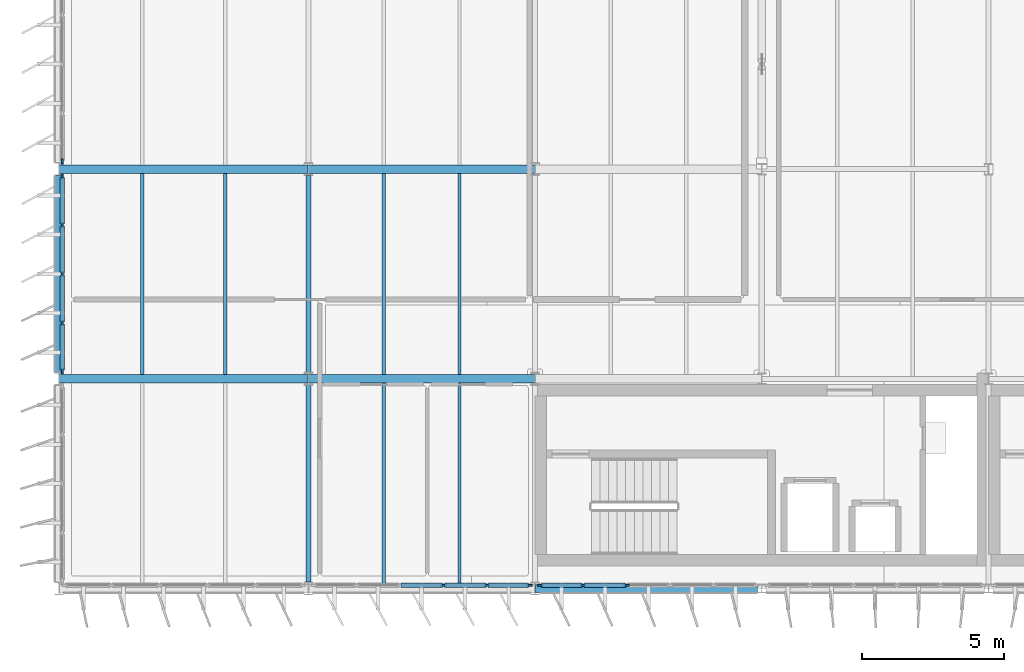
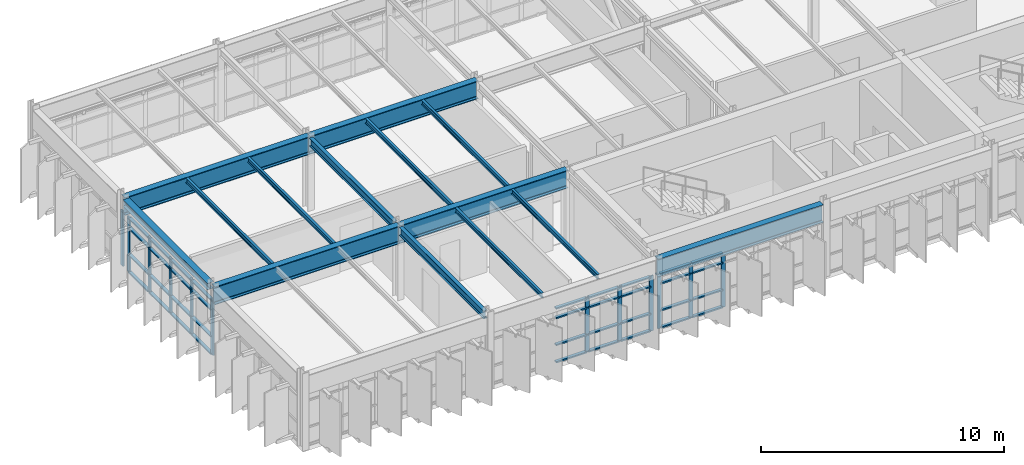
# One storey, part 5 of 35: 48 members, 14 beams, 4 elements without a shape of their own.
"""IFC4 building model written with IfcOpenShell, lengths in metres."""

from ifc_helpers import new_model, si_unit, direction, frame, origin, origin_2d, place, context, subcontext, project, spatial, rectangle, i_section, extrude, material, layer, layer_set, material_profile, profile_set, type_object, element, aggregate, save


model = new_model("IFC4")

# Units and contexts
model_context = context("Model", 3, precision=1e-05, world=origin(), true_north=direction((0.0, 1.0)))
body_context = subcontext(model_context, "Body", "Model", "MODEL_VIEW")
ifc_project = project(units=[si_unit("LENGTHUNIT", "METRE"), si_unit("AREAUNIT", "SQUARE_METRE"), si_unit("VOLUMEUNIT", "CUBIC_METRE"), si_unit("PLANEANGLEUNIT", "RADIAN"), si_unit("MASSUNIT", "GRAM", prefix="KILO")], contexts=[model_context])

# Site, building, storey
site_placement = place(None, origin())
site = spatial("IfcSite", under=ifc_project, at=site_placement, CompositionType="ELEMENT")
building_placement = place(site_placement, origin())
building = spatial("IfcBuilding", under=site, at=building_placement, Name="Valkorina Park Police Headquarters", CompositionType="ELEMENT")
storey_placement = place(building_placement, frame((0.0, 0.0, 27.199951171875)))
storey = spatial("IfcBuildingStorey", under=building, at=storey_placement, Name="L07", CompositionType="ELEMENT", Elevation=27.199951171875)

# Beams
ifc_material_1 = material(Name="Steel S355", Category="steel")
ifc_material_profile_1 = material_profile(ifc_material_1, i_section(OverallWidth=0.300048828125, OverallDepth=0.330078125, WebThickness=0.009521484375, FlangeThickness=0.0166015625, FilletRadius=0.027099609375, at=origin_2d()), Name="HEA 340")
ifc_profile_set_1 = profile_set([ifc_material_profile_1], Name="Steel S355")
beam_type_1 = type_object("IfcBeamType", Name="BM-S355-HEA340-SPN", PredefinedType="SPANDREL", material=ifc_profile_set_1)
beam_1_placement = place(storey_placement, frame((0.0, 44.625, 3.51513671875), z_axis=(0.0, 1.0, 0.0), x_axis=(-1.0, 0.0, 0.0)))
element("IfcBeam", 1, at=beam_1_placement, inside=storey, type_object=beam_type_1, Name="L07 Framing Beam 2756", PredefinedType="SPANDREL", context=body_context, shape_type="SweptSolid", body=[
    extrude(i_section(OverallWidth=0.300048828125, OverallDepth=0.330078125, WebThickness=0.009521484375, FlangeThickness=0.0166015625, FilletRadius=0.027099609375, at=origin_2d()), origin(), (0.0, 0.0, 1.0), 6.949951171875),
])
ifc_material_profile_2 = material_profile(ifc_material_1, i_section(OverallWidth=0.300048828125, OverallDepth=0.89990234375, WebThickness=0.0185546875, FlangeThickness=0.034912109375, FilletRadius=0.030029296875, at=origin_2d()), Name="HEB 900")
ifc_profile_set_2 = profile_set([ifc_material_profile_2], Name="Steel S355")
beam_type_2 = type_object("IfcBeamType", Name="BM-S355-HEB900-BM", PredefinedType="BEAM", material=ifc_profile_set_2)
beam_2_placement = place(storey_placement, frame((0.007080078125, 44.39990234375, 3.22998046875), z_axis=(1.0, 0.0, 0.0), x_axis=(0.0, 1.0, 0.0)))
element("IfcBeam", 2, at=beam_2_placement, inside=storey, type_object=beam_type_2, Name="L07 Framing Beam 2733", PredefinedType="BEAM", context=body_context, shape_type="SweptSolid", body=[
    extrude(i_section(OverallWidth=0.300048828125, OverallDepth=0.89990234375, WebThickness=0.0185546875, FlangeThickness=0.034912109375, FilletRadius=0.030029296875, at=origin_2d()), origin(), (0.0, 0.0, 1.0), 8.785888671875),
])
beam_3_placement = place(storey_placement, frame((8.806884765625, 44.39990234375, 3.22998046875), z_axis=(1.0, 0.0, 0.0), x_axis=(0.0, 1.0, 0.0)))
element("IfcBeam", 3, at=beam_3_placement, inside=storey, type_object=beam_type_2, Name="L07 Framing Beam 2734", PredefinedType="BEAM", context=body_context, shape_type="SweptSolid", body=[
    extrude(i_section(OverallWidth=0.300048828125, OverallDepth=0.89990234375, WebThickness=0.0185546875, FlangeThickness=0.034912109375, FilletRadius=0.030029296875, at=origin_2d()), origin(), (0.0, 0.0, 1.0), 7.986083984375),
])
beam_4_placement = place(storey_placement, frame((0.007080078125, 51.800048828125, 3.22998046875), z_axis=(1.0, 0.0, 0.0), x_axis=(0.0, 1.0, 0.0)))
element("IfcBeam", 4, at=beam_4_placement, inside=storey, type_object=beam_type_2, Name="L07 Framing Beam 2740", PredefinedType="BEAM", context=body_context, shape_type="SweptSolid", body=[
    extrude(i_section(OverallWidth=0.300048828125, OverallDepth=0.89990234375, WebThickness=0.0185546875, FlangeThickness=0.034912109375, FilletRadius=0.030029296875, at=origin_2d()), origin(), (0.0, 0.0, 1.0), 8.785888671875),
])
beam_5_placement = place(storey_placement, frame((8.806884765625, 51.800048828125, 3.22998046875), z_axis=(1.0, 0.0, 0.0), x_axis=(0.0, 1.0, 0.0)))
element("IfcBeam", 5, at=beam_5_placement, inside=storey, type_object=beam_type_2, Name="L07 Framing Beam 2741", PredefinedType="BEAM", context=body_context, shape_type="SweptSolid", body=[
    extrude(i_section(OverallWidth=0.300048828125, OverallDepth=0.89990234375, WebThickness=0.0185546875, FlangeThickness=0.034912109375, FilletRadius=0.030029296875, at=origin_2d()), origin(), (0.0, 0.0, 1.0), 7.986083984375),
])
ifc_material_profile_3 = material_profile(ifc_material_1, i_section(OverallWidth=0.300048828125, OverallDepth=0.89990234375, WebThickness=0.0185546875, FlangeThickness=0.034912109375, FilletRadius=0.030029296875, at=origin_2d()), Name="HEB 900")
ifc_profile_set_3 = profile_set([ifc_material_profile_3], Name="Steel S355")
beam_type_3 = type_object("IfcBeamType", Name="BM-S355-HEB900-EXT", PredefinedType="SPANDREL", material=ifc_profile_set_3)
beam_6_placement = place(storey_placement, frame((16.806884765625, 37.0, 3.22998046875), z_axis=(1.0, 0.0, 0.0), x_axis=(0.0, 1.0, 0.0)))
element("IfcBeam", 6, at=beam_6_placement, inside=storey, type_object=beam_type_3, Name="L07 Framing Beam 2726", PredefinedType="SPANDREL", context=body_context, shape_type="SweptSolid", body=[
    extrude(i_section(OverallWidth=0.300048828125, OverallDepth=0.89990234375, WebThickness=0.0185546875, FlangeThickness=0.034912109375, FilletRadius=0.030029296875, at=origin_2d()), origin(), (0.0, 0.0, 1.0), 7.843017578125),
])
ifc_material_profile_4 = material_profile(ifc_material_1, i_section(OverallWidth=0.1201171875, OverallDepth=0.239990234375, WebThickness=0.006103515625, FlangeThickness=0.009765625, FilletRadius=0.014892578125, at=origin_2d()), Name="IPE 240")
ifc_profile_set_4 = profile_set([ifc_material_profile_4], Name="Steel S355")
beam_type_4 = type_object("IfcBeamType", Name="BM-S355-IPE240-JST", PredefinedType="JOIST", material=ifc_profile_set_4)
for number, where, z_axis, x_axis, name in (
    (7, (2.933349609375, 44.550048828125, 3.56005859375), (0.0, 1.0, 0.0), (-1.0, 0.0, 0.0), "L07 Framing Beam 2757"),
    (8, (5.86669921875, 44.550048828125, 3.56005859375), (0.0, 1.0, 0.0), (-1.0, 0.0, 0.0), "L07 Framing Beam 2758"),
):
    element("IfcBeam", number, at=place(storey_placement, frame(where, z_axis=z_axis, x_axis=x_axis)), inside=storey, type_object=beam_type_4, Name=name, PredefinedType="JOIST", context=body_context, shape_type="SweptSolid", body=[
        extrude(i_section(OverallWidth=0.1201171875, OverallDepth=0.239990234375, WebThickness=0.006103515625, FlangeThickness=0.009765625, FilletRadius=0.014892578125, at=origin_2d()), origin(), (0.0, 0.0, 1.0), 7.099853515625),
    ])
for number, where, z_axis, x_axis, name in (
    (9, (11.466796875, 37.14990234375, 3.56005859375), (0.0, 1.0, 0.0), (-1.0, 0.0, 0.0), "L07 Framing Beam 2763"),
    (10, (14.13330078125, 37.14990234375, 3.56005859375), (0.0, 1.0, 0.0), (-1.0, 0.0, 0.0), "L07 Framing Beam 2764"),
):
    element("IfcBeam", number, at=place(storey_placement, frame(where, z_axis=z_axis, x_axis=x_axis)), inside=storey, type_object=beam_type_4, Name=name, PredefinedType="JOIST", context=body_context, shape_type="SweptSolid", body=[
        extrude(i_section(OverallWidth=0.1201171875, OverallDepth=0.239990234375, WebThickness=0.006103515625, FlangeThickness=0.009765625, FilletRadius=0.014892578125, at=origin_2d()), origin(), (0.0, 0.0, 1.0), 7.10009765625),
    ])
for number, where, z_axis, x_axis, name in (
    (11, (11.466796875, 44.550048828125, 3.56005859375), (0.0, 1.0, 0.0), (-1.0, 0.0, 0.0), "L07 Framing Beam 2766"),
    (12, (14.13330078125, 44.550048828125, 3.56005859375), (0.0, 1.0, 0.0), (-1.0, 0.0, 0.0), "L07 Framing Beam 2767"),
):
    element("IfcBeam", number, at=place(storey_placement, frame(where, z_axis=z_axis, x_axis=x_axis)), inside=storey, type_object=beam_type_4, Name=name, PredefinedType="JOIST", context=body_context, shape_type="SweptSolid", body=[
        extrude(i_section(OverallWidth=0.1201171875, OverallDepth=0.239990234375, WebThickness=0.006103515625, FlangeThickness=0.009765625, FilletRadius=0.014892578125, at=origin_2d()), origin(), (0.0, 0.0, 1.0), 7.099853515625),
    ])
ifc_material_profile_5 = material_profile(ifc_material_1, i_section(OverallWidth=0.179931640625, OverallDepth=0.39990234375, WebThickness=0.008544921875, FlangeThickness=0.013427734375, FilletRadius=0.02099609375, at=origin_2d()), Name="IPE 400")
ifc_profile_set_5 = profile_set([ifc_material_profile_5], Name="Steel S355")
beam_type_5 = type_object("IfcBeamType", Name="BM-S355-IPE400-BM", PredefinedType="BEAM", material=ifc_profile_set_5)
for number, where, z_axis, x_axis, name in (
    (13, (8.800048828125, 37.22509765625, 3.47998046875), (0.0, 1.0, 0.0), (-1.0, 0.0, 0.0), "L07 Framing Beam 2762"),
    (14, (8.800048828125, 44.625, 3.47998046875), (0.0, 1.0, 0.0), (-1.0, 0.0, 0.0), "L07 Framing Beam 2765"),
):
    element("IfcBeam", number, at=place(storey_placement, frame(where, z_axis=z_axis, x_axis=x_axis)), inside=storey, type_object=beam_type_5, Name=name, PredefinedType="BEAM", context=body_context, shape_type="SweptSolid", body=[
        extrude(i_section(OverallWidth=0.179931640625, OverallDepth=0.39990234375, WebThickness=0.008544921875, FlangeThickness=0.013427734375, FilletRadius=0.02099609375, at=origin_2d()), origin(), (0.0, 0.0, 1.0), 6.949951171875),
    ])

# Curtain wall, members
ifc_material_2 = material(Name="Thermally broken aluminium AW-6060", Category="aluminium")
ifc_layer_1 = layer(ifc_material_2, 0.18994140625)
ifc_layer_set_1 = layer_set([ifc_layer_1], Name="Thermally broken aluminium AW-6060")
curtain_wall_type_1 = type_object("IfcCurtainWallType", Name="CW-V5-7680x2770", PredefinedType="NOTDEFINED", material=ifc_layer_set_1)
curtain_wall_1_placement = place(storey_placement, origin())
curtain_wall_1 = element("IfcCurtainWall", 15, at=curtain_wall_1_placement, inside=storey, type_object=curtain_wall_type_1, Name="L07 Unitised Curtain Wall 139", PredefinedType="NOTDEFINED")
ifc_material_profile_6 = material_profile(ifc_material_2, rectangle(XDim=0.070068359375, YDim=0.18994140625, at=origin_2d()), Name="CWM-02 70x190")
ifc_profile_set_6 = profile_set([ifc_material_profile_6], Name="Thermally broken aluminium AW-6060")
member_type_1 = type_object("IfcMemberType", Name="CWM-70x190", PredefinedType="MULLION", material=ifc_profile_set_6)
member_1_placement = place(storey_placement, frame((20.031982421875, 37.1201171875, 0.0), z_axis=(0.0, 0.0, 1.0), x_axis=(0.0, -1.0, 0.0)))
member_1 = element("IfcMember", 16, at=member_1_placement, type_object=member_type_1, Name="CW-V5-768-277 mullion 4", PredefinedType="MULLION", context=body_context, shape_type="SweptSolid", body=[
    extrude(rectangle(XDim=0.070068359375, YDim=0.18994140625, at=origin_2d()), origin(), (0.0, 0.0, 1.0), 2.77001953125),
])
member_2_placement = place(storey_placement, frame((18.49609375, 37.1201171875, 0.0), z_axis=(0.0, 0.0, 1.0), x_axis=(0.0, -1.0, 0.0)))
member_2 = element("IfcMember", 17, at=member_2_placement, type_object=member_type_1, Name="CW-V5-768-277 mullion 5", PredefinedType="MULLION", context=body_context, shape_type="SweptSolid", body=[
    extrude(rectangle(XDim=0.070068359375, YDim=0.18994140625, at=origin_2d()), origin(), (0.0, 0.0, 1.0), 2.77001953125),
])
member_3_placement = place(storey_placement, frame((16.9951171875, 37.1201171875, 0.0), z_axis=(0.0, 0.0, 1.0), x_axis=(0.0, -1.0, 0.0)))
member_3 = element("IfcMember", 18, at=member_3_placement, type_object=member_type_1, Name="CW-V5-768-277 mullion 6", PredefinedType="MULLION", context=body_context, shape_type="SweptSolid", body=[
    extrude(rectangle(XDim=0.070068359375, YDim=0.18994140625, at=origin_2d()), origin(), (0.0, 0.0, 1.0), 2.77001953125),
])

curtain_wall_2_placement = place(storey_placement, origin())
curtain_wall_2 = element("IfcCurtainWall", 19, at=curtain_wall_2_placement, inside=storey, type_object=curtain_wall_type_1, Name="L07 Unitised Curtain Wall 140", PredefinedType="NOTDEFINED")
member_4_placement = place(storey_placement, frame((16.60498046875, 37.1201171875, 0.0), z_axis=(0.0, 0.0, 1.0), x_axis=(0.0, -1.0, 0.0)))
member_4 = element("IfcMember", 20, at=member_4_placement, type_object=member_type_1, Name="CW-V5-768-277 mullion 1", PredefinedType="MULLION", context=body_context, shape_type="SweptSolid", body=[
    extrude(rectangle(XDim=0.070068359375, YDim=0.18994140625, at=origin_2d()), origin(), (0.0, 0.0, 1.0), 2.77001953125),
])
member_5_placement = place(storey_placement, frame((15.10400390625, 37.1201171875, 0.0), z_axis=(0.0, 0.0, 1.0), x_axis=(0.0, -1.0, 0.0)))
member_5 = element("IfcMember", 21, at=member_5_placement, type_object=member_type_1, Name="CW-V5-768-277 mullion 2", PredefinedType="MULLION", context=body_context, shape_type="SweptSolid", body=[
    extrude(rectangle(XDim=0.070068359375, YDim=0.18994140625, at=origin_2d()), origin(), (0.0, 0.0, 1.0), 2.77001953125),
])
member_6_placement = place(storey_placement, frame((13.568115234375, 37.1201171875, 0.0), z_axis=(0.0, 0.0, 1.0), x_axis=(0.0, -1.0, 0.0)))
member_6 = element("IfcMember", 22, at=member_6_placement, type_object=member_type_1, Name="CW-V5-768-277 mullion 3", PredefinedType="MULLION", context=body_context, shape_type="SweptSolid", body=[
    extrude(rectangle(XDim=0.070068359375, YDim=0.18994140625, at=origin_2d()), origin(), (0.0, 0.0, 1.0), 2.77001953125),
])

ifc_layer_2 = layer(ifc_material_2, 0.18994140625)
ifc_layer_set_2 = layer_set([ifc_layer_2], Name="Thermally broken aluminium AW-6060")
curtain_wall_type_2 = type_object("IfcCurtainWallType", Name="CW-V5-6930x2770", PredefinedType="NOTDEFINED", material=ifc_layer_set_2)
curtain_wall_3_placement = place(storey_placement, origin())
curtain_wall_3 = element("IfcCurtainWall", 23, at=curtain_wall_3_placement, inside=storey, type_object=curtain_wall_type_2, Name="L07 Unitised Curtain Wall 143", PredefinedType="NOTDEFINED")
member_7_placement = place(storey_placement, frame((0.1201171875, 44.669921875, 0.0), z_axis=(0.0, 0.0, 1.0), x_axis=(-1.0, 0.0, 0.0)))
member_7 = element("IfcMember", 24, at=member_7_placement, type_object=member_type_1, Name="CW-V5-693-277 mullion 1", PredefinedType="MULLION", context=body_context, shape_type="SweptSolid", body=[
    extrude(rectangle(XDim=0.070068359375, YDim=0.18994140625, at=origin_2d()), origin(), (0.0, 0.0, 1.0), 2.77001953125),
])
member_8_placement = place(storey_placement, frame((0.1201171875, 46.367431640625, 0.0), z_axis=(0.0, 0.0, 1.0), x_axis=(-1.0, 0.0, 0.0)))
member_8 = element("IfcMember", 25, at=member_8_placement, type_object=member_type_1, Name="CW-V5-693-277 mullion 2", PredefinedType="MULLION", context=body_context, shape_type="SweptSolid", body=[
    extrude(rectangle(XDim=0.070068359375, YDim=0.18994140625, at=origin_2d()), origin(), (0.0, 0.0, 1.0), 2.77001953125),
])
member_9_placement = place(storey_placement, frame((0.1201171875, 48.10009765625, 0.0), z_axis=(0.0, 0.0, 1.0), x_axis=(-1.0, 0.0, 0.0)))
member_9 = element("IfcMember", 26, at=member_9_placement, type_object=member_type_1, Name="CW-V5-693-277 mullion 3", PredefinedType="MULLION", context=body_context, shape_type="SweptSolid", body=[
    extrude(rectangle(XDim=0.070068359375, YDim=0.18994140625, at=origin_2d()), origin(), (0.0, 0.0, 1.0), 2.77001953125),
])
member_10_placement = place(storey_placement, frame((0.1201171875, 49.83251953125, 0.0), z_axis=(0.0, 0.0, 1.0), x_axis=(-1.0, 0.0, 0.0)))
member_10 = element("IfcMember", 27, at=member_10_placement, type_object=member_type_1, Name="CW-V5-693-277 mullion 4", PredefinedType="MULLION", context=body_context, shape_type="SweptSolid", body=[
    extrude(rectangle(XDim=0.070068359375, YDim=0.18994140625, at=origin_2d()), origin(), (0.0, 0.0, 1.0), 2.77001953125),
])
member_11_placement = place(storey_placement, frame((0.1201171875, 51.530029296875, 0.0), z_axis=(0.0, 0.0, 1.0), x_axis=(-1.0, 0.0, 0.0)))
member_11 = element("IfcMember", 28, at=member_11_placement, type_object=member_type_1, Name="CW-V5-693-277 mullion 5", PredefinedType="MULLION", context=body_context, shape_type="SweptSolid", body=[
    extrude(rectangle(XDim=0.070068359375, YDim=0.18994140625, at=origin_2d()), origin(), (0.0, 0.0, 1.0), 2.77001953125),
])

# Curtain wall, member
curtain_wall_4_placement = place(storey_placement, origin())
curtain_wall_4 = element("IfcCurtainWall", 29, at=curtain_wall_4_placement, inside=storey, type_object=curtain_wall_type_2, Name="L07 Unitised Curtain Wall 144", PredefinedType="NOTDEFINED")
member_12_placement = place(storey_placement, frame((0.1201171875, 52.070068359375, 0.0), z_axis=(0.0, 0.0, 1.0), x_axis=(-1.0, 0.0, 0.0)))
member_12 = element("IfcMember", 30, at=member_12_placement, type_object=member_type_1, Name="CW-V5-693-277 mullion 1", PredefinedType="MULLION", context=body_context, shape_type="SweptSolid", body=[
    extrude(rectangle(XDim=0.070068359375, YDim=0.18994140625, at=origin_2d()), origin(), (0.0, 0.0, 1.0), 2.77001953125),
])
aggregate(curtain_wall_4, [member_12])

# Member
ifc_material_profile_7 = material_profile(ifc_material_2, rectangle(XDim=0.14990234375, YDim=0.070068359375, at=origin_2d()), Name="CWT-02 150x70")
ifc_profile_set_7 = profile_set([ifc_material_profile_7], Name="Thermally broken aluminium AW-6060")
member_type_2 = type_object("IfcMemberType", Name="CWT-150x70", PredefinedType="USERDEFINED", material=ifc_profile_set_7)
member_13_placement = place(storey_placement, frame((19.9970703125, 37.1201171875, 0.03515625), z_axis=(-1.0, 0.0, 0.0), x_axis=(0.0, -1.0, 0.0)))
member_13 = element("IfcMember", 31, at=member_13_placement, type_object=member_type_2, Name="CW-V5-768-277 transom 4.1", ObjectType="TRANSOM", PredefinedType="USERDEFINED", context=body_context, shape_type="SweptSolid", body=[
    extrude(rectangle(XDim=0.14990234375, YDim=0.070068359375, at=origin_2d()), origin(), (0.0, 0.0, 1.0), 1.466064453125),
])

member_14_placement = place(storey_placement, frame((19.9970703125, 37.1201171875, 0.900146484375), z_axis=(-1.0, 0.0, 0.0), x_axis=(0.0, -1.0, 0.0)))
member_14 = element("IfcMember", 32, at=member_14_placement, type_object=member_type_2, Name="CW-V5-768-277 transom 4.2", ObjectType="TRANSOM", PredefinedType="USERDEFINED", context=body_context, shape_type="SweptSolid", body=[
    extrude(rectangle(XDim=0.14990234375, YDim=0.070068359375, at=origin_2d()), origin(), (0.0, 0.0, 1.0), 1.466064453125),
])

member_15_placement = place(storey_placement, frame((19.9970703125, 37.1201171875, 2.25), z_axis=(-1.0, 0.0, 0.0), x_axis=(0.0, -1.0, 0.0)))
member_15 = element("IfcMember", 33, at=member_15_placement, type_object=member_type_2, Name="CW-V5-768-277 transom 4.3", ObjectType="TRANSOM", PredefinedType="USERDEFINED", context=body_context, shape_type="SweptSolid", body=[
    extrude(rectangle(XDim=0.14990234375, YDim=0.070068359375, at=origin_2d()), origin(), (0.0, 0.0, 1.0), 1.466064453125),
])

member_16_placement = place(storey_placement, frame((19.9970703125, 37.1201171875, 2.735107421875), z_axis=(-1.0, 0.0, 0.0), x_axis=(0.0, -1.0, 0.0)))
member_16 = element("IfcMember", 34, at=member_16_placement, type_object=member_type_2, Name="CW-V5-768-277 transom 4.4", ObjectType="TRANSOM", PredefinedType="USERDEFINED", context=body_context, shape_type="SweptSolid", body=[
    extrude(rectangle(XDim=0.14990234375, YDim=0.070068359375, at=origin_2d()), origin(), (0.0, 0.0, 1.0), 1.466064453125),
])

member_17_placement = place(storey_placement, frame((18.4609375, 37.1201171875, 0.03515625), z_axis=(-1.0, 0.0, 0.0), x_axis=(0.0, -1.0, 0.0)))
member_17 = element("IfcMember", 35, at=member_17_placement, type_object=member_type_2, Name="CW-V5-768-277 transom 5.1", ObjectType="TRANSOM", PredefinedType="USERDEFINED", context=body_context, shape_type="SweptSolid", body=[
    extrude(rectangle(XDim=0.14990234375, YDim=0.070068359375, at=origin_2d()), origin(), (0.0, 0.0, 1.0), 1.430908203125),
])

member_18_placement = place(storey_placement, frame((18.4609375, 37.1201171875, 0.900146484375), z_axis=(-1.0, 0.0, 0.0), x_axis=(0.0, -1.0, 0.0)))
member_18 = element("IfcMember", 36, at=member_18_placement, type_object=member_type_2, Name="CW-V5-768-277 transom 5.2", ObjectType="TRANSOM", PredefinedType="USERDEFINED", context=body_context, shape_type="SweptSolid", body=[
    extrude(rectangle(XDim=0.14990234375, YDim=0.070068359375, at=origin_2d()), origin(), (0.0, 0.0, 1.0), 1.430908203125),
])

member_19_placement = place(storey_placement, frame((18.4609375, 37.1201171875, 2.25), z_axis=(-1.0, 0.0, 0.0), x_axis=(0.0, -1.0, 0.0)))
member_19 = element("IfcMember", 37, at=member_19_placement, type_object=member_type_2, Name="CW-V5-768-277 transom 5.3", ObjectType="TRANSOM", PredefinedType="USERDEFINED", context=body_context, shape_type="SweptSolid", body=[
    extrude(rectangle(XDim=0.14990234375, YDim=0.070068359375, at=origin_2d()), origin(), (0.0, 0.0, 1.0), 1.430908203125),
])

member_20_placement = place(storey_placement, frame((18.4609375, 37.1201171875, 2.735107421875), z_axis=(-1.0, 0.0, 0.0), x_axis=(0.0, -1.0, 0.0)))
member_20 = element("IfcMember", 38, at=member_20_placement, type_object=member_type_2, Name="CW-V5-768-277 transom 5.4", ObjectType="TRANSOM", PredefinedType="USERDEFINED", context=body_context, shape_type="SweptSolid", body=[
    extrude(rectangle(XDim=0.14990234375, YDim=0.070068359375, at=origin_2d()), origin(), (0.0, 0.0, 1.0), 1.430908203125),
])

aggregate(curtain_wall_1, [member_1, member_2, member_3, member_13, member_14, member_15, member_16, member_17, member_18, member_19, member_20])

member_21_placement = place(storey_placement, frame((16.570068359375, 37.1201171875, 0.03515625), z_axis=(-1.0, 0.0, 0.0), x_axis=(0.0, -1.0, 0.0)))
member_21 = element("IfcMember", 39, at=member_21_placement, type_object=member_type_2, Name="CW-V5-768-277 transom 1.1", ObjectType="TRANSOM", PredefinedType="USERDEFINED", context=body_context, shape_type="SweptSolid", body=[
    extrude(rectangle(XDim=0.14990234375, YDim=0.070068359375, at=origin_2d()), origin(), (0.0, 0.0, 1.0), 1.43115234375),
])

member_22_placement = place(storey_placement, frame((16.570068359375, 37.1201171875, 0.900146484375), z_axis=(-1.0, 0.0, 0.0), x_axis=(0.0, -1.0, 0.0)))
member_22 = element("IfcMember", 40, at=member_22_placement, type_object=member_type_2, Name="CW-V5-768-277 transom 1.2", ObjectType="TRANSOM", PredefinedType="USERDEFINED", context=body_context, shape_type="SweptSolid", body=[
    extrude(rectangle(XDim=0.14990234375, YDim=0.070068359375, at=origin_2d()), origin(), (0.0, 0.0, 1.0), 1.43115234375),
])

member_23_placement = place(storey_placement, frame((16.570068359375, 37.1201171875, 2.25), z_axis=(-1.0, 0.0, 0.0), x_axis=(0.0, -1.0, 0.0)))
member_23 = element("IfcMember", 41, at=member_23_placement, type_object=member_type_2, Name="CW-V5-768-277 transom 1.3", ObjectType="TRANSOM", PredefinedType="USERDEFINED", context=body_context, shape_type="SweptSolid", body=[
    extrude(rectangle(XDim=0.14990234375, YDim=0.070068359375, at=origin_2d()), origin(), (0.0, 0.0, 1.0), 1.43115234375),
])

member_24_placement = place(storey_placement, frame((16.570068359375, 37.1201171875, 2.735107421875), z_axis=(-1.0, 0.0, 0.0), x_axis=(0.0, -1.0, 0.0)))
member_24 = element("IfcMember", 42, at=member_24_placement, type_object=member_type_2, Name="CW-V5-768-277 transom 1.4", ObjectType="TRANSOM", PredefinedType="USERDEFINED", context=body_context, shape_type="SweptSolid", body=[
    extrude(rectangle(XDim=0.14990234375, YDim=0.070068359375, at=origin_2d()), origin(), (0.0, 0.0, 1.0), 1.43115234375),
])

member_25_placement = place(storey_placement, frame((15.069091796875, 37.1201171875, 0.03515625), z_axis=(-1.0, 0.0, 0.0), x_axis=(0.0, -1.0, 0.0)))
member_25 = element("IfcMember", 43, at=member_25_placement, type_object=member_type_2, Name="CW-V5-768-277 transom 2.1", ObjectType="TRANSOM", PredefinedType="USERDEFINED", context=body_context, shape_type="SweptSolid", body=[
    extrude(rectangle(XDim=0.14990234375, YDim=0.070068359375, at=origin_2d()), origin(), (0.0, 0.0, 1.0), 1.466064453125),
])

member_26_placement = place(storey_placement, frame((15.069091796875, 37.1201171875, 0.900146484375), z_axis=(-1.0, 0.0, 0.0), x_axis=(0.0, -1.0, 0.0)))
member_26 = element("IfcMember", 44, at=member_26_placement, type_object=member_type_2, Name="CW-V5-768-277 transom 2.2", ObjectType="TRANSOM", PredefinedType="USERDEFINED", context=body_context, shape_type="SweptSolid", body=[
    extrude(rectangle(XDim=0.14990234375, YDim=0.070068359375, at=origin_2d()), origin(), (0.0, 0.0, 1.0), 1.466064453125),
])

member_27_placement = place(storey_placement, frame((15.069091796875, 37.1201171875, 2.25), z_axis=(-1.0, 0.0, 0.0), x_axis=(0.0, -1.0, 0.0)))
member_27 = element("IfcMember", 45, at=member_27_placement, type_object=member_type_2, Name="CW-V5-768-277 transom 2.3", ObjectType="TRANSOM", PredefinedType="USERDEFINED", context=body_context, shape_type="SweptSolid", body=[
    extrude(rectangle(XDim=0.14990234375, YDim=0.070068359375, at=origin_2d()), origin(), (0.0, 0.0, 1.0), 1.466064453125),
])

member_28_placement = place(storey_placement, frame((15.069091796875, 37.1201171875, 2.735107421875), z_axis=(-1.0, 0.0, 0.0), x_axis=(0.0, -1.0, 0.0)))
member_28 = element("IfcMember", 46, at=member_28_placement, type_object=member_type_2, Name="CW-V5-768-277 transom 2.4", ObjectType="TRANSOM", PredefinedType="USERDEFINED", context=body_context, shape_type="SweptSolid", body=[
    extrude(rectangle(XDim=0.14990234375, YDim=0.070068359375, at=origin_2d()), origin(), (0.0, 0.0, 1.0), 1.466064453125),
])

member_29_placement = place(storey_placement, frame((13.532958984375, 37.1201171875, 0.03515625), z_axis=(-1.0, 0.0, 0.0), x_axis=(0.0, -1.0, 0.0)))
member_29 = element("IfcMember", 47, at=member_29_placement, type_object=member_type_2, Name="CW-V5-768-277 transom 3.1", ObjectType="TRANSOM", PredefinedType="USERDEFINED", context=body_context, shape_type="SweptSolid", body=[
    extrude(rectangle(XDim=0.14990234375, YDim=0.070068359375, at=origin_2d()), origin(), (0.0, 0.0, 1.0), 1.466064453125),
])

member_30_placement = place(storey_placement, frame((13.532958984375, 37.1201171875, 0.900146484375), z_axis=(-1.0, 0.0, 0.0), x_axis=(0.0, -1.0, 0.0)))
member_30 = element("IfcMember", 48, at=member_30_placement, type_object=member_type_2, Name="CW-V5-768-277 transom 3.2", ObjectType="TRANSOM", PredefinedType="USERDEFINED", context=body_context, shape_type="SweptSolid", body=[
    extrude(rectangle(XDim=0.14990234375, YDim=0.070068359375, at=origin_2d()), origin(), (0.0, 0.0, 1.0), 1.466064453125),
])

member_31_placement = place(storey_placement, frame((13.532958984375, 37.1201171875, 2.25), z_axis=(-1.0, 0.0, 0.0), x_axis=(0.0, -1.0, 0.0)))
member_31 = element("IfcMember", 49, at=member_31_placement, type_object=member_type_2, Name="CW-V5-768-277 transom 3.3", ObjectType="TRANSOM", PredefinedType="USERDEFINED", context=body_context, shape_type="SweptSolid", body=[
    extrude(rectangle(XDim=0.14990234375, YDim=0.070068359375, at=origin_2d()), origin(), (0.0, 0.0, 1.0), 1.466064453125),
])

member_32_placement = place(storey_placement, frame((13.532958984375, 37.1201171875, 2.735107421875), z_axis=(-1.0, 0.0, 0.0), x_axis=(0.0, -1.0, 0.0)))
member_32 = element("IfcMember", 50, at=member_32_placement, type_object=member_type_2, Name="CW-V5-768-277 transom 3.4", ObjectType="TRANSOM", PredefinedType="USERDEFINED", context=body_context, shape_type="SweptSolid", body=[
    extrude(rectangle(XDim=0.14990234375, YDim=0.070068359375, at=origin_2d()), origin(), (0.0, 0.0, 1.0), 1.466064453125),
])

aggregate(curtain_wall_2, [member_4, member_5, member_6, member_21, member_22, member_23, member_24, member_25, member_26, member_27, member_28, member_29, member_30, member_31, member_32])

member_33_placement = place(storey_placement, frame((0.1201171875, 44.705078125, 0.03515625), z_axis=(0.0, 1.0, 0.0), x_axis=(-1.0, 0.0, 0.0)))
member_33 = element("IfcMember", 51, at=member_33_placement, type_object=member_type_2, Name="CW-V5-693-277 transom 1.1", ObjectType="TRANSOM", PredefinedType="USERDEFINED", context=body_context, shape_type="SweptSolid", body=[
    extrude(rectangle(XDim=0.14990234375, YDim=0.070068359375, at=origin_2d()), origin(), (0.0, 0.0, 1.0), 1.62744140625),
])

member_34_placement = place(storey_placement, frame((0.1201171875, 44.705078125, 0.900146484375), z_axis=(0.0, 1.0, 0.0), x_axis=(-1.0, 0.0, 0.0)))
member_34 = element("IfcMember", 52, at=member_34_placement, type_object=member_type_2, Name="CW-V5-693-277 transom 1.2", ObjectType="TRANSOM", PredefinedType="USERDEFINED", context=body_context, shape_type="SweptSolid", body=[
    extrude(rectangle(XDim=0.14990234375, YDim=0.070068359375, at=origin_2d()), origin(), (0.0, 0.0, 1.0), 1.62744140625),
])

member_35_placement = place(storey_placement, frame((0.1201171875, 44.705078125, 2.25), z_axis=(0.0, 1.0, 0.0), x_axis=(-1.0, 0.0, 0.0)))
member_35 = element("IfcMember", 53, at=member_35_placement, type_object=member_type_2, Name="CW-V5-693-277 transom 1.3", ObjectType="TRANSOM", PredefinedType="USERDEFINED", context=body_context, shape_type="SweptSolid", body=[
    extrude(rectangle(XDim=0.14990234375, YDim=0.070068359375, at=origin_2d()), origin(), (0.0, 0.0, 1.0), 1.62744140625),
])

member_36_placement = place(storey_placement, frame((0.1201171875, 44.705078125, 2.735107421875), z_axis=(0.0, 1.0, 0.0), x_axis=(-1.0, 0.0, 0.0)))
member_36 = element("IfcMember", 54, at=member_36_placement, type_object=member_type_2, Name="CW-V5-693-277 transom 1.4", ObjectType="TRANSOM", PredefinedType="USERDEFINED", context=body_context, shape_type="SweptSolid", body=[
    extrude(rectangle(XDim=0.14990234375, YDim=0.070068359375, at=origin_2d()), origin(), (0.0, 0.0, 1.0), 1.62744140625),
])

member_37_placement = place(storey_placement, frame((0.1201171875, 46.402587890625, 0.03515625), z_axis=(0.0, 1.0, 0.0), x_axis=(-1.0, 0.0, 0.0)))
member_37 = element("IfcMember", 55, at=member_37_placement, type_object=member_type_2, Name="CW-V5-693-277 transom 2.1", ObjectType="TRANSOM", PredefinedType="USERDEFINED", context=body_context, shape_type="SweptSolid", body=[
    extrude(rectangle(XDim=0.14990234375, YDim=0.070068359375, at=origin_2d()), origin(), (0.0, 0.0, 1.0), 1.662353515625),
])

member_38_placement = place(storey_placement, frame((0.1201171875, 46.402587890625, 0.900146484375), z_axis=(0.0, 1.0, 0.0), x_axis=(-1.0, 0.0, 0.0)))
member_38 = element("IfcMember", 56, at=member_38_placement, type_object=member_type_2, Name="CW-V5-693-277 transom 2.2", ObjectType="TRANSOM", PredefinedType="USERDEFINED", context=body_context, shape_type="SweptSolid", body=[
    extrude(rectangle(XDim=0.14990234375, YDim=0.070068359375, at=origin_2d()), origin(), (0.0, 0.0, 1.0), 1.662353515625),
])

member_39_placement = place(storey_placement, frame((0.1201171875, 46.402587890625, 2.25), z_axis=(0.0, 1.0, 0.0), x_axis=(-1.0, 0.0, 0.0)))
member_39 = element("IfcMember", 57, at=member_39_placement, type_object=member_type_2, Name="CW-V5-693-277 transom 2.3", ObjectType="TRANSOM", PredefinedType="USERDEFINED", context=body_context, shape_type="SweptSolid", body=[
    extrude(rectangle(XDim=0.14990234375, YDim=0.070068359375, at=origin_2d()), origin(), (0.0, 0.0, 1.0), 1.662353515625),
])

member_40_placement = place(storey_placement, frame((0.1201171875, 46.402587890625, 2.735107421875), z_axis=(0.0, 1.0, 0.0), x_axis=(-1.0, 0.0, 0.0)))
member_40 = element("IfcMember", 58, at=member_40_placement, type_object=member_type_2, Name="CW-V5-693-277 transom 2.4", ObjectType="TRANSOM", PredefinedType="USERDEFINED", context=body_context, shape_type="SweptSolid", body=[
    extrude(rectangle(XDim=0.14990234375, YDim=0.070068359375, at=origin_2d()), origin(), (0.0, 0.0, 1.0), 1.662353515625),
])

member_41_placement = place(storey_placement, frame((0.1201171875, 48.135009765625, 0.03515625), z_axis=(0.0, 1.0, 0.0), x_axis=(-1.0, 0.0, 0.0)))
member_41 = element("IfcMember", 59, at=member_41_placement, type_object=member_type_2, Name="CW-V5-693-277 transom 3.1", ObjectType="TRANSOM", PredefinedType="USERDEFINED", context=body_context, shape_type="SweptSolid", body=[
    extrude(rectangle(XDim=0.14990234375, YDim=0.070068359375, at=origin_2d()), origin(), (0.0, 0.0, 1.0), 1.66259765625),
])

member_42_placement = place(storey_placement, frame((0.1201171875, 48.135009765625, 0.900146484375), z_axis=(0.0, 1.0, 0.0), x_axis=(-1.0, 0.0, 0.0)))
member_42 = element("IfcMember", 60, at=member_42_placement, type_object=member_type_2, Name="CW-V5-693-277 transom 3.2", ObjectType="TRANSOM", PredefinedType="USERDEFINED", context=body_context, shape_type="SweptSolid", body=[
    extrude(rectangle(XDim=0.14990234375, YDim=0.070068359375, at=origin_2d()), origin(), (0.0, 0.0, 1.0), 1.66259765625),
])

member_43_placement = place(storey_placement, frame((0.1201171875, 48.135009765625, 2.25), z_axis=(0.0, 1.0, 0.0), x_axis=(-1.0, 0.0, 0.0)))
member_43 = element("IfcMember", 61, at=member_43_placement, type_object=member_type_2, Name="CW-V5-693-277 transom 3.3", ObjectType="TRANSOM", PredefinedType="USERDEFINED", context=body_context, shape_type="SweptSolid", body=[
    extrude(rectangle(XDim=0.14990234375, YDim=0.070068359375, at=origin_2d()), origin(), (0.0, 0.0, 1.0), 1.66259765625),
])

member_44_placement = place(storey_placement, frame((0.1201171875, 48.135009765625, 2.735107421875), z_axis=(0.0, 1.0, 0.0), x_axis=(-1.0, 0.0, 0.0)))
member_44 = element("IfcMember", 62, at=member_44_placement, type_object=member_type_2, Name="CW-V5-693-277 transom 3.4", ObjectType="TRANSOM", PredefinedType="USERDEFINED", context=body_context, shape_type="SweptSolid", body=[
    extrude(rectangle(XDim=0.14990234375, YDim=0.070068359375, at=origin_2d()), origin(), (0.0, 0.0, 1.0), 1.66259765625),
])

member_45_placement = place(storey_placement, frame((0.1201171875, 49.867431640625, 0.03515625), z_axis=(0.0, 1.0, 0.0), x_axis=(-1.0, 0.0, 0.0)))
member_45 = element("IfcMember", 63, at=member_45_placement, type_object=member_type_2, Name="CW-V5-693-277 transom 4.1", ObjectType="TRANSOM", PredefinedType="USERDEFINED", context=body_context, shape_type="SweptSolid", body=[
    extrude(rectangle(XDim=0.14990234375, YDim=0.070068359375, at=origin_2d()), origin(), (0.0, 0.0, 1.0), 1.627685546875),
])

member_46_placement = place(storey_placement, frame((0.1201171875, 49.867431640625, 0.900146484375), z_axis=(0.0, 1.0, 0.0), x_axis=(-1.0, 0.0, 0.0)))
member_46 = element("IfcMember", 64, at=member_46_placement, type_object=member_type_2, Name="CW-V5-693-277 transom 4.2", ObjectType="TRANSOM", PredefinedType="USERDEFINED", context=body_context, shape_type="SweptSolid", body=[
    extrude(rectangle(XDim=0.14990234375, YDim=0.070068359375, at=origin_2d()), origin(), (0.0, 0.0, 1.0), 1.627685546875),
])

member_47_placement = place(storey_placement, frame((0.1201171875, 49.867431640625, 2.25), z_axis=(0.0, 1.0, 0.0), x_axis=(-1.0, 0.0, 0.0)))
member_47 = element("IfcMember", 65, at=member_47_placement, type_object=member_type_2, Name="CW-V5-693-277 transom 4.3", ObjectType="TRANSOM", PredefinedType="USERDEFINED", context=body_context, shape_type="SweptSolid", body=[
    extrude(rectangle(XDim=0.14990234375, YDim=0.070068359375, at=origin_2d()), origin(), (0.0, 0.0, 1.0), 1.627685546875),
])

member_48_placement = place(storey_placement, frame((0.1201171875, 49.867431640625, 2.735107421875), z_axis=(0.0, 1.0, 0.0), x_axis=(-1.0, 0.0, 0.0)))
member_48 = element("IfcMember", 66, at=member_48_placement, type_object=member_type_2, Name="CW-V5-693-277 transom 4.4", ObjectType="TRANSOM", PredefinedType="USERDEFINED", context=body_context, shape_type="SweptSolid", body=[
    extrude(rectangle(XDim=0.14990234375, YDim=0.070068359375, at=origin_2d()), origin(), (0.0, 0.0, 1.0), 1.627685546875),
])

aggregate(curtain_wall_3, [member_7, member_8, member_9, member_10, member_11, member_33, member_34, member_35, member_36, member_37, member_38, member_39, member_40, member_41, member_42, member_43, member_44, member_45, member_46, member_47, member_48])

save(model, "model.ifc")
